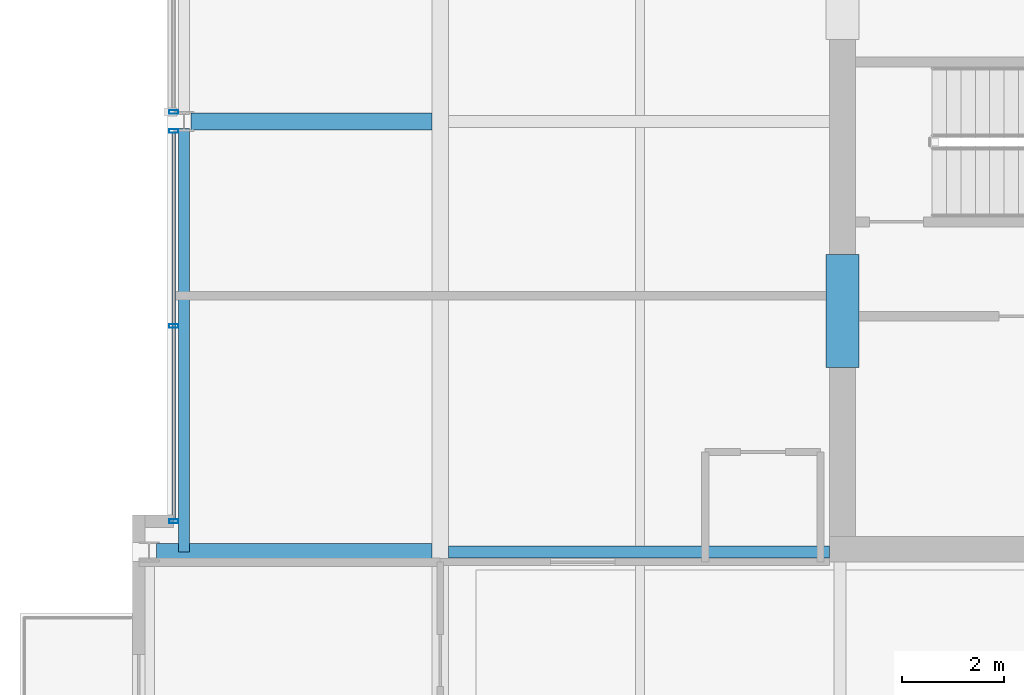
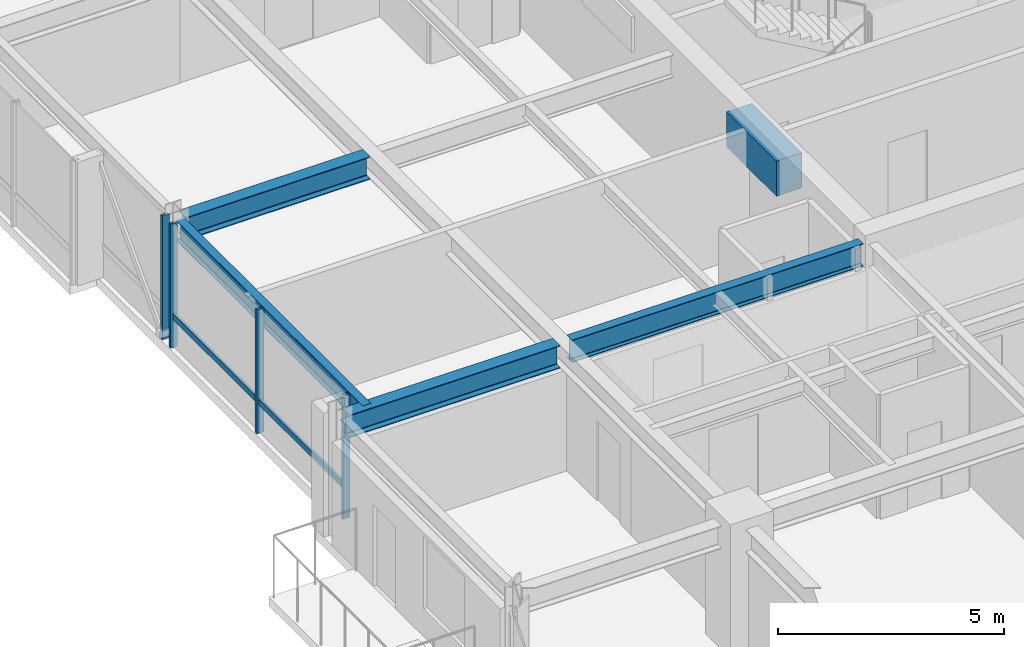
# One storey, part 8 of 32: 5 beams, 5 members, 2 elements without a shape of their own.
"""IFC4 building model written with IfcOpenShell, lengths in metres."""

from ifc_helpers import new_model, si_unit, direction, frame, origin, origin_2d, place, context, subcontext, project, spatial, rectangle, hollow_rectangle, i_section, extrude, material, layer, layer_set, material_profile, profile_set, type_object, element, aggregate, save


model = new_model("IFC4")

# Units and contexts
model_context = context("Model", 3, precision=1e-05, world=origin(), true_north=direction((0.0, 1.0)))
body_context = subcontext(model_context, "Body", "Model", "MODEL_VIEW")
ifc_project = project(units=[si_unit("LENGTHUNIT", "METRE"), si_unit("AREAUNIT", "SQUARE_METRE"), si_unit("VOLUMEUNIT", "CUBIC_METRE"), si_unit("PLANEANGLEUNIT", "RADIAN"), si_unit("MASSUNIT", "GRAM", prefix="KILO")], contexts=[model_context])

# Site, building, storey
site_placement = place(None, origin())
site = spatial("IfcSite", under=ifc_project, at=site_placement, CompositionType="ELEMENT")
building_placement = place(site_placement, origin())
building = spatial("IfcBuilding", under=site, at=building_placement, Name="Drelvath Grand Hotel", CompositionType="ELEMENT")
storey_placement = place(building_placement, frame((0.0, 0.0, 233.89990234375)))
storey = spatial("IfcBuildingStorey", under=building, at=storey_placement, Name="L61", CompositionType="ELEMENT", Elevation=233.89990234375)

# Beam
ifc_material_1 = material(Name="Concrete f'c 55 MPa", Category="concrete")
ifc_material_profile_1 = material_profile(ifc_material_1, rectangle(XDim=0.64990234375, YDim=0.949951171875, at=origin_2d()), Name="CB650X950")
ifc_profile_set_1 = profile_set([ifc_material_profile_1], Name="Concrete f'c 55 MPa")
beam_type_1 = type_object("IfcBeamType", Name="Core Coupling Lintel CB650X950", PredefinedType="LINTEL", material=ifc_profile_set_1)
beam_1_placement = place(storey_placement, frame((-8.35009765625, 22.199951171875, 2.864990234375), z_axis=(0.0, 1.0, 0.0), x_axis=(-1.0, 0.0, 0.0)))
element("IfcBeam", 1, at=beam_1_placement, inside=storey, type_object=beam_type_1, Name="L61 Core Coupling Lintel WS", PredefinedType="LINTEL", context=body_context, shape_type="SweptSolid", body=[
    extrude(rectangle(XDim=0.64990234375, YDim=0.949951171875, at=origin_2d()), origin(), (0.0, 0.0, 1.0), 2.199951171875),
])

# Curtain wall, members
ifc_material_2 = material(Name="Platinum-Mist Anodised Aluminium Frame", Category="aluminium")
ifc_layer = layer(ifc_material_2, 0.199951171875)
ifc_layer_set = layer_set([ifc_layer], Name="Platinum-Mist Anodised Aluminium Frame")
curtain_wall_type = type_object("IfcCurtainWallType", Name="Stick Curtain Wall CW-05 Platinum Mist High-Rise", PredefinedType="NOTDEFINED", material=ifc_layer_set)
curtain_wall_1_placement = place(storey_placement, origin())
curtain_wall_1 = element("IfcCurtainWall", 2, at=curtain_wall_1_placement, inside=storey, type_object=curtain_wall_type, Name="L61 CW-05 Curtain Wall CW05-L61-WM1", PredefinedType="NOTDEFINED")
ifc_material_profile_2 = material_profile(ifc_material_2, hollow_rectangle(XDim=0.06494140625, YDim=0.159912109375, WallThickness=0.00390625, at=origin_2d()), Name="HSS160X65X4")
ifc_profile_set_2 = profile_set([ifc_material_profile_2], Name="Platinum-Mist Anodised Aluminium Frame")
member_type_1 = type_object("IfcMemberType", Name="Curtain Wall Horizontal Transom CW-05 HSS160X65X4", PredefinedType="USERDEFINED", material=ifc_profile_set_2)
member_1_placement = place(storey_placement, frame((-21.39990234375, 19.239990234375, 0.835205078125), z_axis=(0.0, 1.0, 0.0), x_axis=(-1.0, 0.0, 0.0)))
member_1 = element("IfcMember", 3, at=member_1_placement, type_object=member_type_1, Name="CW05-L61-WM1 Sill Transom", ObjectType="TRANSOM", PredefinedType="USERDEFINED", context=body_context, shape_type="SweptSolid", body=[
    extrude(hollow_rectangle(XDim=0.06494140625, YDim=0.159912109375, WallThickness=0.00390625, at=origin_2d()), origin(), (0.0, 0.0, 1.0), 7.53466796875),
])
ifc_material_profile_3 = material_profile(ifc_material_2, hollow_rectangle(XDim=0.074951171875, YDim=0.179931640625, WallThickness=0.0048828125, at=origin_2d()), Name="HSS180X75X5")
ifc_profile_set_3 = profile_set([ifc_material_profile_3], Name="Platinum-Mist Anodised Aluminium Frame")
member_type_2 = type_object("IfcMemberType", Name="Curtain Wall Vertical Mullion CW-05 HSS180X75X5", PredefinedType="MULLION", material=ifc_profile_set_3)
member_2_placement = place(storey_placement, frame((-21.39990234375, 19.199951171875, 0.0), z_axis=(0.0, 0.0, 1.0), x_axis=(0.0, 1.0, 0.0)))
member_2 = element("IfcMember", 4, at=member_2_placement, type_object=member_type_2, Name="CW05-L61-WM1 Mullion 1", PredefinedType="MULLION", context=body_context, shape_type="SweptSolid", body=[
    extrude(hollow_rectangle(XDim=0.074951171875, YDim=0.179931640625, WallThickness=0.0048828125, at=origin_2d()), origin(), (0.0, 0.0, 1.0), 3.340087890625),
])
member_3_placement = place(storey_placement, frame((-21.39990234375, 23.00732421875, 0.0), z_axis=(0.0, 0.0, 1.0), x_axis=(0.0, 1.0, 0.0)))
member_3 = element("IfcMember", 5, at=member_3_placement, type_object=member_type_2, Name="CW05-L61-WM1 Mullion 2", PredefinedType="MULLION", context=body_context, shape_type="SweptSolid", body=[
    extrude(hollow_rectangle(XDim=0.074951171875, YDim=0.179931640625, WallThickness=0.0048828125, at=origin_2d()), origin(), (0.0, 0.0, 1.0), 3.340087890625),
])
member_4_placement = place(storey_placement, frame((-21.39990234375, 26.814697265625, 0.0), z_axis=(0.0, 0.0, 1.0), x_axis=(0.0, 1.0, 0.0)))
member_4 = element("IfcMember", 6, at=member_4_placement, type_object=member_type_2, Name="CW05-L61-WM1 Mullion 3", PredefinedType="MULLION", context=body_context, shape_type="SweptSolid", body=[
    extrude(hollow_rectangle(XDim=0.074951171875, YDim=0.179931640625, WallThickness=0.0048828125, at=origin_2d()), origin(), (0.0, 0.0, 1.0), 3.340087890625),
])
aggregate(curtain_wall_1, [member_2, member_3, member_4, member_1])

# Curtain wall, member
curtain_wall_2_placement = place(storey_placement, origin())
curtain_wall_2 = element("IfcCurtainWall", 7, at=curtain_wall_2_placement, inside=storey, type_object=curtain_wall_type, Name="L61 CW-05 Curtain Wall CW05-L61-WM2", PredefinedType="NOTDEFINED")
member_5_placement = place(storey_placement, frame((-21.39990234375, 27.185302734375, 0.0), z_axis=(0.0, 0.0, 1.0), x_axis=(0.0, 1.0, 0.0)))
member_5 = element("IfcMember", 8, at=member_5_placement, type_object=member_type_2, Name="CW05-L61-WM2 Mullion 1", PredefinedType="MULLION", context=body_context, shape_type="SweptSolid", body=[
    extrude(hollow_rectangle(XDim=0.074951171875, YDim=0.179931640625, WallThickness=0.0048828125, at=origin_2d()), origin(), (0.0, 0.0, 1.0), 3.340087890625),
])
aggregate(curtain_wall_2, [member_5])

# Beams
ifc_material_3 = material(Name="Steel ASTM A992 Gr 50", Category="steel")
ifc_material_profile_4 = material_profile(ifc_material_3, i_section(OverallWidth=0.210205078125, OverallDepth=0.53662109375, WebThickness=0.010986328125, FlangeThickness=0.017333984375, FilletRadius=0.01806640625, at=origin_2d()), Name="W21X68")
ifc_profile_set_4 = profile_set([ifc_material_profile_4], Name="Steel ASTM A992 Gr 50")
beam_type_2 = type_object("IfcBeamType", Name="Perimeter Spandrel Beam W21X68", PredefinedType="SPANDREL", material=ifc_profile_set_4)
beam_2_placement = place(storey_placement, frame((-21.199951171875, 18.60009765625, 3.07177734375), z_axis=(0.0, 1.0, 0.0), x_axis=(-1.0, 0.0, 0.0)))
element("IfcBeam", 9, at=beam_2_placement, inside=storey, type_object=beam_type_2, Name="L61 Spandrel West Mid S", PredefinedType="SPANDREL", context=body_context, shape_type="SweptSolid", body=[
    extrude(i_section(OverallWidth=0.210205078125, OverallDepth=0.53662109375, WebThickness=0.010986328125, FlangeThickness=0.017333984375, FilletRadius=0.01806640625, at=origin_2d()), origin(), (0.0, 0.0, 1.0), 8.260009765625),
])
ifc_material_profile_5 = material_profile(ifc_material_3, i_section(OverallWidth=0.323974609375, OverallDepth=0.611083984375, WebThickness=0.0126953125, FlangeThickness=0.01904296875, FilletRadius=0.02197265625, at=origin_2d()), Name="W24X104")
ifc_profile_set_5 = profile_set([ifc_material_profile_5], Name="Steel ASTM A992 Gr 50")
beam_type_3 = type_object("IfcBeamType", Name="Primary Floor Girder W24X104", PredefinedType="BEAM", material=ifc_profile_set_5)
beam_3_placement = place(storey_placement, frame((-21.739990234375, 18.60009765625, 3.034423828125), z_axis=(1.0, 0.0, 0.0), x_axis=(0.0, 1.0, 0.0)))
element("IfcBeam", 10, at=beam_3_placement, inside=storey, type_object=beam_type_3, Name="L61 West Wing Girder D", PredefinedType="BEAM", context=body_context, shape_type="SweptSolid", body=[
    extrude(i_section(OverallWidth=0.323974609375, OverallDepth=0.611083984375, WebThickness=0.0126953125, FlangeThickness=0.01904296875, FilletRadius=0.02197265625, at=origin_2d()), origin(), (0.0, 0.0, 1.0), 5.3779296875),
])
beam_4_placement = place(storey_placement, frame((-21.06005859375, 27.0, 3.034423828125), z_axis=(1.0, 0.0, 0.0), x_axis=(0.0, 1.0, 0.0)))
element("IfcBeam", 11, at=beam_4_placement, inside=storey, type_object=beam_type_3, Name="L61 West Wing Girder E", PredefinedType="BEAM", context=body_context, shape_type="SweptSolid", body=[
    extrude(i_section(OverallWidth=0.323974609375, OverallDepth=0.611083984375, WebThickness=0.0126953125, FlangeThickness=0.01904296875, FilletRadius=0.02197265625, at=origin_2d()), origin(), (0.0, 0.0, 1.0), 4.697998046875),
])
ifc_material_profile_6 = material_profile(ifc_material_3, i_section(OverallWidth=0.228271484375, OverallDepth=0.607666015625, WebThickness=0.01123046875, FlangeThickness=0.017333984375, FilletRadius=0.02001953125, at=origin_2d()), Name="W24X76")
ifc_profile_set_6 = profile_set([ifc_material_profile_6], Name="Steel ASTM A992 Gr 50")
beam_type_4 = type_object("IfcBeamType", Name="Primary Floor Girder W24X76", PredefinedType="BEAM", material=ifc_profile_set_6)
beam_5_placement = place(storey_placement, frame((-16.0380859375, 18.60009765625, 3.036376953125), z_axis=(1.0, 0.0, 0.0), x_axis=(0.0, 1.0, 0.0)))
element("IfcBeam", 12, at=beam_5_placement, inside=storey, type_object=beam_type_4, Name="L61 West Core Tie D", PredefinedType="BEAM", context=body_context, shape_type="SweptSolid", body=[
    extrude(i_section(OverallWidth=0.228271484375, OverallDepth=0.607666015625, WebThickness=0.01123046875, FlangeThickness=0.017333984375, FilletRadius=0.02001953125, at=origin_2d()), origin(), (0.0, 0.0, 1.0), 7.43798828125),
])

save(model, "model.ifc")
